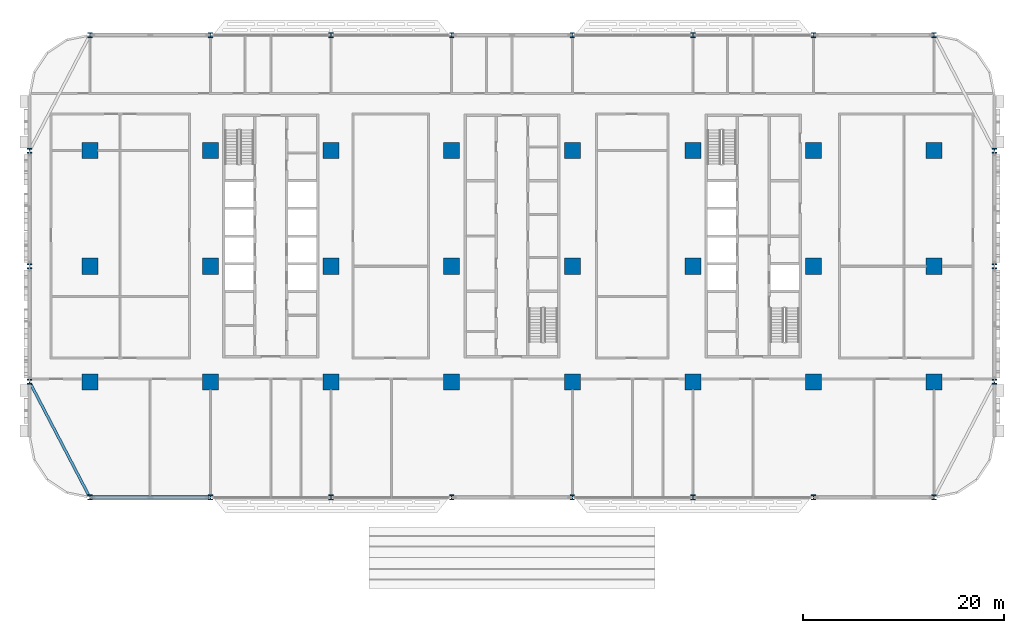
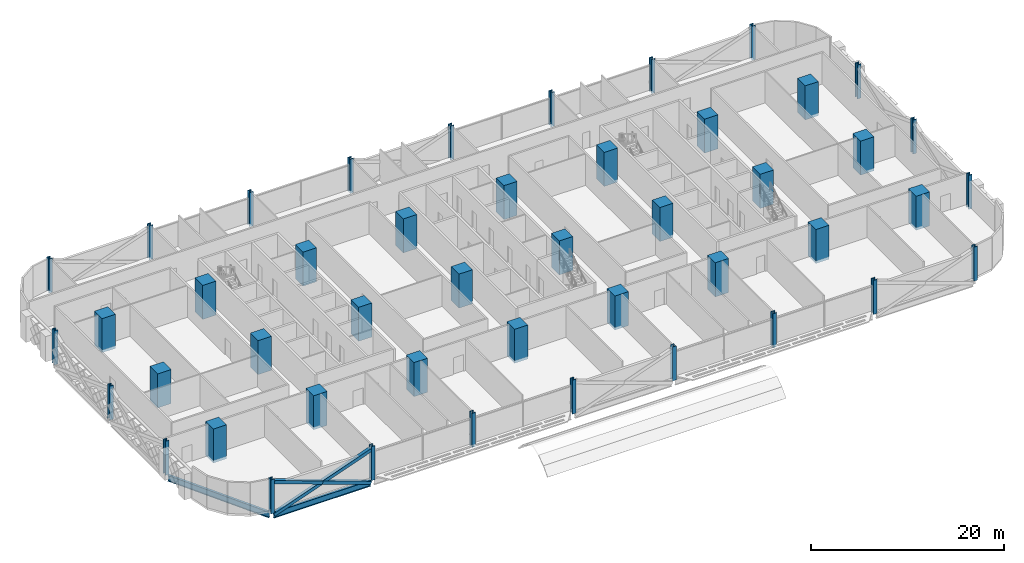
# One storey, part 1 of 26: 46 columns, 3 members, 2 beams.
"""IFC4 building model written with IfcOpenShell, lengths in metres."""

from ifc_helpers import new_model, si_unit, direction, frame, origin, origin_2d, place, context, subcontext, project, spatial, rectangle, hollow_rectangle, i_section, extrude, material, material_profile, profile_set, type_object, element, save


model = new_model("IFC4")

# Units and contexts
model_context = context("Model", 3, precision=1e-05, world=origin(), true_north=direction((0.0, 1.0)))
body_context = subcontext(model_context, "Body", "Model", "MODEL_VIEW")
ifc_project = project(units=[si_unit("LENGTHUNIT", "METRE"), si_unit("AREAUNIT", "SQUARE_METRE"), si_unit("VOLUMEUNIT", "CUBIC_METRE"), si_unit("PLANEANGLEUNIT", "RADIAN"), si_unit("MASSUNIT", "GRAM", prefix="KILO")], contexts=[model_context])

# Site, building, storey
site_placement = place(None, origin())
site = spatial("IfcSite", under=ifc_project, at=site_placement, CompositionType="ELEMENT")
building_placement = place(site_placement, origin())
building = spatial("IfcBuilding", under=site, at=building_placement, Name="Mahtab Terrace Research Tower", CompositionType="ELEMENT")
storey_placement = place(building_placement, frame((0.0, 0.0, 15.800048828125)))
storey = spatial("IfcBuildingStorey", under=building, at=storey_placement, Name="L03", CompositionType="ELEMENT", Elevation=15.800048828125)

# Columns
ifc_material_1 = material(Name="Concrete C70/85", Category="concrete")
ifc_material_profile_1 = material_profile(ifc_material_1, rectangle(XDim=1.60009765625, YDim=1.60009765625, at=origin_2d()), Name="RC column 1600x1600")
ifc_profile_set_1 = profile_set([ifc_material_profile_1], Name="Concrete C70/85")
column_type_1 = type_object("IfcColumnType", Name="RC column 1600x1600", PredefinedType="COLUMN", material=ifc_profile_set_1)
for number, where, z_axis, x_axis, name in (
    (1, (-42.0, -11.5, -0.340087890625), (0.0, 0.0, 1.0), (1.0, 0.0, 0.0), "Column RC-1A L03"),
    (2, (-42.0, 0.0, -0.340087890625), (0.0, 0.0, 1.0), (1.0, 0.0, 0.0), "Column RC-1B L03"),
    (3, (-42.0, 11.5, -0.340087890625), (0.0, 0.0, 1.0), (1.0, 0.0, 0.0), "Column RC-1C L03"),
    (4, (-30.0, -11.5, -0.340087890625), (0.0, 0.0, 1.0), (1.0, 0.0, 0.0), "Column RC-2A L03"),
    (5, (-30.0, 0.0, -0.340087890625), (0.0, 0.0, 1.0), (1.0, 0.0, 0.0), "Column RC-2B L03"),
    (6, (-30.0, 11.5, -0.340087890625), (0.0, 0.0, 1.0), (1.0, 0.0, 0.0), "Column RC-2C L03"),
    (7, (-18.0, -11.5, -0.340087890625), (0.0, 0.0, 1.0), (1.0, 0.0, 0.0), "Column RC-3A L03"),
    (8, (-18.0, 0.0, -0.340087890625), (0.0, 0.0, 1.0), (1.0, 0.0, 0.0), "Column RC-3B L03"),
    (9, (-18.0, 11.5, -0.340087890625), (0.0, 0.0, 1.0), (1.0, 0.0, 0.0), "Column RC-3C L03"),
    (10, (-6.0, -11.5, -0.340087890625), (0.0, 0.0, 1.0), (1.0, 0.0, 0.0), "Column RC-4A L03"),
    (11, (-6.0, 0.0, -0.340087890625), (0.0, 0.0, 1.0), (1.0, 0.0, 0.0), "Column RC-4B L03"),
    (12, (-6.0, 11.5, -0.340087890625), (0.0, 0.0, 1.0), (1.0, 0.0, 0.0), "Column RC-4C L03"),
    (13, (6.0, -11.5, -0.340087890625), (0.0, 0.0, 1.0), (1.0, 0.0, 0.0), "Column RC-5A L03"),
    (14, (6.0, 0.0, -0.340087890625), (0.0, 0.0, 1.0), (1.0, 0.0, 0.0), "Column RC-5B L03"),
    (15, (6.0, 11.5, -0.340087890625), (0.0, 0.0, 1.0), (1.0, 0.0, 0.0), "Column RC-5C L03"),
    (16, (18.0, -11.5, -0.340087890625), (0.0, 0.0, 1.0), (1.0, 0.0, 0.0), "Column RC-6A L03"),
    (17, (18.0, 0.0, -0.340087890625), (0.0, 0.0, 1.0), (1.0, 0.0, 0.0), "Column RC-6B L03"),
    (18, (18.0, 11.5, -0.340087890625), (0.0, 0.0, 1.0), (1.0, 0.0, 0.0), "Column RC-6C L03"),
    (19, (30.0, -11.5, -0.340087890625), (0.0, 0.0, 1.0), (1.0, 0.0, 0.0), "Column RC-7A L03"),
    (20, (30.0, 0.0, -0.340087890625), (0.0, 0.0, 1.0), (1.0, 0.0, 0.0), "Column RC-7B L03"),
    (21, (30.0, 11.5, -0.340087890625), (0.0, 0.0, 1.0), (1.0, 0.0, 0.0), "Column RC-7C L03"),
    (22, (42.0, -11.5, -0.340087890625), (0.0, 0.0, 1.0), (1.0, 0.0, 0.0), "Column RC-8A L03"),
    (23, (42.0, 0.0, -0.340087890625), (0.0, 0.0, 1.0), (1.0, 0.0, 0.0), "Column RC-8B L03"),
    (24, (42.0, 11.5, -0.340087890625), (0.0, 0.0, 1.0), (1.0, 0.0, 0.0), "Column RC-8C L03"),
):
    element("IfcColumn", number, at=place(storey_placement, frame(where, z_axis=z_axis, x_axis=x_axis)), inside=storey, type_object=column_type_1, Name=name, PredefinedType="COLUMN", context=body_context, shape_type="SweptSolid", body=[
        extrude(rectangle(XDim=1.60009765625, YDim=1.60009765625, at=origin_2d()), origin(), (0.0, 0.0, 1.0), 4.300048828125),
    ])
ifc_material_2 = material(Name="Steel ASTM A992 Gr 50", Category="steel")
ifc_material_profile_2 = material_profile(ifc_material_2, i_section(OverallWidth=0.431884765625, OverallDepth=0.497802734375, WebThickness=0.0556640625, FlangeThickness=0.0888671875, at=origin_2d()), Name="W14X500")
ifc_profile_set_2 = profile_set([ifc_material_profile_2], Name="Steel ASTM A992 Gr 50")
column_type_2 = type_object("IfcColumnType", Name="W14x500 column CS14500", PredefinedType="COLUMN", material=ifc_profile_set_2)
for number, where, z_axis, x_axis, name in (
    (25, (42.0, 23.0, -0.340087890625), (0.0, 0.0, 1.0), (1.0, 0.0, 0.0), "Column SC-001 L03"),
    (26, (30.0, 23.0, -0.340087890625), (0.0, 0.0, 1.0), (1.0, 0.0, 0.0), "Column SC-002 L03"),
    (27, (18.0, 23.0, -0.340087890625), (0.0, 0.0, 1.0), (1.0, 0.0, 0.0), "Column SC-003 L03"),
    (28, (6.0, 23.0, -0.340087890625), (0.0, 0.0, 1.0), (1.0, 0.0, 0.0), "Column SC-004 L03"),
    (29, (-6.0, 23.0, -0.340087890625), (0.0, 0.0, 1.0), (1.0, 0.0, 0.0), "Column SC-005 L03"),
    (30, (-18.0, 23.0, -0.340087890625), (0.0, 0.0, 1.0), (1.0, 0.0, 0.0), "Column SC-006 L03"),
    (31, (-30.0, 23.0, -0.340087890625), (0.0, 0.0, 1.0), (1.0, 0.0, 0.0), "Column SC-007 L03"),
    (32, (-42.0, 23.0, -0.340087890625), (0.0, 0.0, 1.0), (1.0, 0.0, 0.0), "Column SC-008 L03"),
    (33, (-48.0, 11.5, -0.340087890625), (0.0, 0.0, 1.0), (1.0, 0.0, 0.0), "Column SC-009 L03"),
    (34, (-48.0, 0.0, -0.340087890625), (0.0, 0.0, 1.0), (1.0, 0.0, 0.0), "Column SC-010 L03"),
    (35, (-48.0, -11.5, -0.340087890625), (0.0, 0.0, 1.0), (1.0, 0.0, 0.0), "Column SC-011 L03"),
    (36, (-42.0, -23.0, -0.340087890625), (0.0, 0.0, 1.0), (1.0, 0.0, 0.0), "Column SC-012 L03"),
    (37, (-30.0, -23.0, -0.340087890625), (0.0, 0.0, 1.0), (1.0, 0.0, 0.0), "Column SC-013 L03"),
    (38, (-18.0, -23.0, -0.340087890625), (0.0, 0.0, 1.0), (1.0, 0.0, 0.0), "Column SC-014 L03"),
    (39, (-6.0, -23.0, -0.340087890625), (0.0, 0.0, 1.0), (1.0, 0.0, 0.0), "Column SC-015 L03"),
    (40, (6.0, -23.0, -0.340087890625), (0.0, 0.0, 1.0), (1.0, 0.0, 0.0), "Column SC-016 L03"),
    (41, (18.0, -23.0, -0.340087890625), (0.0, 0.0, 1.0), (1.0, 0.0, 0.0), "Column SC-017 L03"),
    (42, (30.0, -23.0, -0.340087890625), (0.0, 0.0, 1.0), (1.0, 0.0, 0.0), "Column SC-018 L03"),
    (43, (42.0, -23.0, -0.340087890625), (0.0, 0.0, 1.0), (1.0, 0.0, 0.0), "Column SC-019 L03"),
    (44, (48.0, -11.5, -0.340087890625), (0.0, 0.0, 1.0), (1.0, 0.0, 0.0), "Column SC-020 L03"),
    (45, (48.0, 0.0, -0.340087890625), (0.0, 0.0, 1.0), (1.0, 0.0, 0.0), "Column SC-021 L03"),
    (46, (48.0, 11.5, -0.340087890625), (0.0, 0.0, 1.0), (1.0, 0.0, 0.0), "Column SC-022 L03"),
):
    element("IfcColumn", number, at=place(storey_placement, frame(where, z_axis=z_axis, x_axis=x_axis)), inside=storey, type_object=column_type_2, Name=name, PredefinedType="COLUMN", context=body_context, shape_type="SweptSolid", body=[
        extrude(i_section(OverallWidth=0.431884765625, OverallDepth=0.497802734375, WebThickness=0.0556640625, FlangeThickness=0.0888671875, at=origin_2d()), origin(), (0.0, 0.0, 1.0), 4.300048828125),
    ])

# Members
ifc_material_3 = material(Name="Steel ASTM A500 Gr C", Category="steel")
ifc_material_profile_3 = material_profile(ifc_material_3, hollow_rectangle(XDim=0.406494140625, YDim=0.406494140625, WallThickness=0.01904296875, at=origin_2d()), Name="HSS16X16X3/4")
ifc_profile_set_3 = profile_set([ifc_material_profile_3], Name="Steel ASTM A500 Gr C")
member_type = type_object("IfcMemberType", Name="HSS 16x16x3/4 brace XB161634", PredefinedType="BRACE", material=ifc_profile_set_3)
member_placement = place(storey_placement, frame((-41.7841796875, -23.0, -0.64111328125), z_axis=(0.941388097231, 0.0, 0.337325436917), x_axis=(0.0, 1.0, 0.0)))
element("IfcMember", 47, at=member_placement, inside=storey, type_object=member_type, Name="Exoskeleton brace L03 12 a", PredefinedType="BRACE", context=body_context, shape_type="SweptSolid", body=[
    extrude(hollow_rectangle(XDim=0.406494140625, YDim=0.406494140625, WallThickness=0.01904296875, at=origin_2d()), origin(), (0.0, 0.0, 1.0), 12.28857421875),
])
for number, where, z_axis, x_axis, name in (
    (48, (-30.2158203125, -23.0, -0.64111328125), (-0.941394406025, 0.0, 0.337307830185), (0.0, -1.0, 0.0), "Exoskeleton brace L03 12 b1"),
    (49, (-36.0, -23.0, 1.431396484375), (-0.941381788192, 0.0, 0.337343043295), (0.0, -1.0, 0.0), "Exoskeleton brace L03 12 b2"),
):
    element("IfcMember", number, at=place(storey_placement, frame(where, z_axis=z_axis, x_axis=x_axis)), inside=storey, type_object=member_type, Name=name, PredefinedType="BRACE", context=body_context, shape_type="SweptSolid", body=[
        extrude(hollow_rectangle(XDim=0.406494140625, YDim=0.406494140625, WallThickness=0.01904296875, at=origin_2d()), origin(), (0.0, 0.0, 1.0), 6.144287109375),
    ])

# Beams
ifc_material_profile_4 = material_profile(ifc_material_2, i_section(OverallWidth=0.2666015625, OverallDepth=0.7568359375, WebThickness=0.013916015625, FlangeThickness=0.019287109375, at=origin_2d()), Name="W30X108")
ifc_profile_set_4 = profile_set([ifc_material_profile_4], Name="Steel ASTM A992 Gr 50")
beam_type = type_object("IfcBeamType", Name="W30x108 beam BS30108", PredefinedType="BEAM", material=ifc_profile_set_4)
beam_1_placement = place(storey_placement, frame((-47.8701171875, -11.748779296875, -0.718505859375), z_axis=(0.462555249274, -0.88659045865, 0.0), x_axis=(0.88659045865, 0.462555249274, 0.0)))
element("IfcBeam", 50, at=beam_1_placement, inside=storey, type_object=beam_type, Name="Spandrel beam L03 11", PredefinedType="BEAM", context=body_context, shape_type="SweptSolid", body=[
    extrude(i_section(OverallWidth=0.2666015625, OverallDepth=0.7568359375, WebThickness=0.013916015625, FlangeThickness=0.019287109375, at=origin_2d()), origin(), (0.0, 0.0, 1.0), 12.409912109375),
])
beam_2_placement = place(storey_placement, frame((-41.7841796875, -23.0, -0.718505859375), z_axis=(1.0, 0.0, 0.0), x_axis=(0.0, 1.0, 0.0)))
element("IfcBeam", 51, at=beam_2_placement, inside=storey, type_object=beam_type, Name="Spandrel beam L03 12", PredefinedType="BEAM", context=body_context, shape_type="SweptSolid", body=[
    extrude(i_section(OverallWidth=0.2666015625, OverallDepth=0.7568359375, WebThickness=0.013916015625, FlangeThickness=0.019287109375, at=origin_2d()), origin(), (0.0, 0.0, 1.0), 11.568359375),
])

save(model, "model.ifc")
